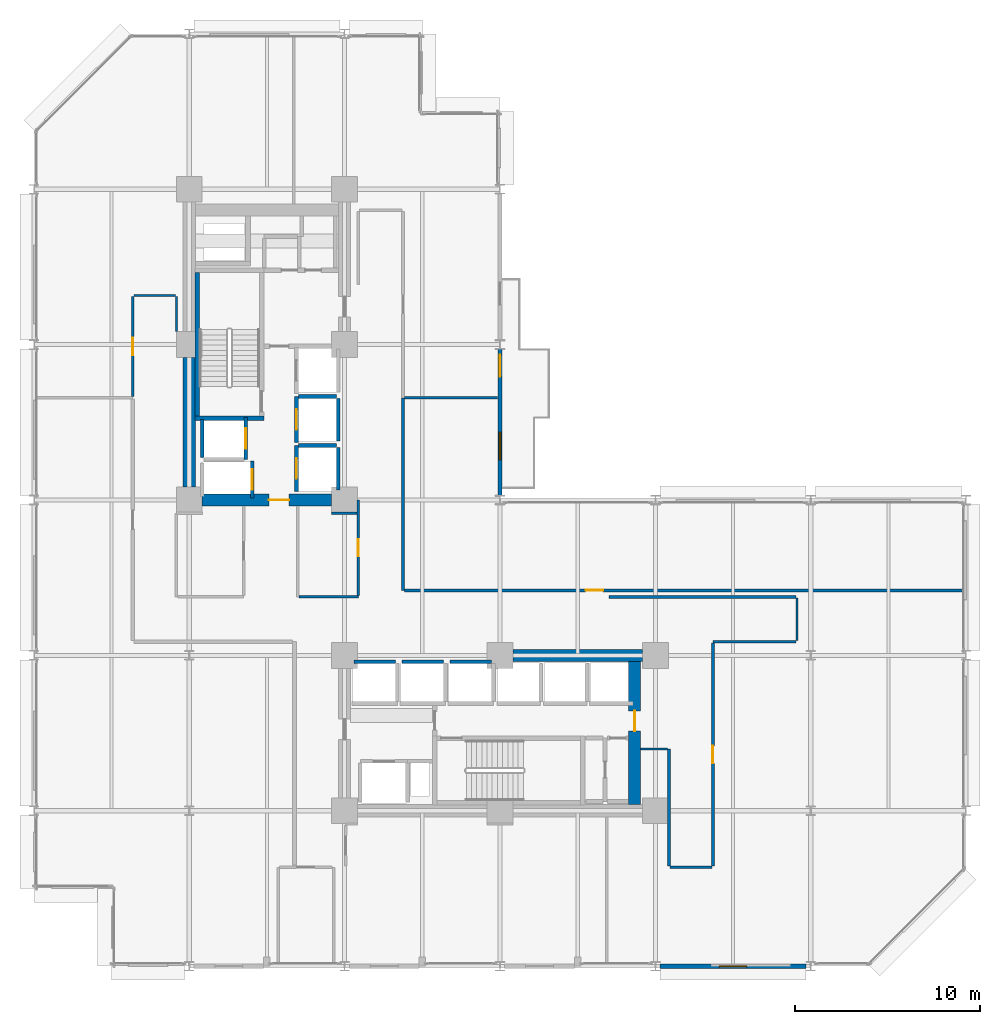
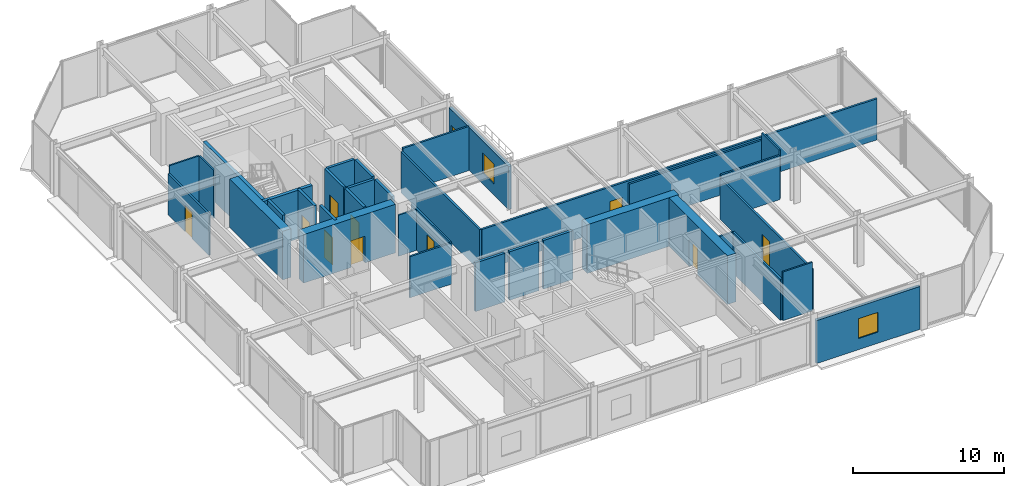
# One storey, part 21 of 25: 36 walls, 11 doors, 2 windows, 13 openings.
"""IFC4 building model written with IfcOpenShell, lengths in metres."""

from ifc_helpers import new_model, si_unit, direction, frame, frame_2d, origin, place, context, subcontext, project, spatial, rectangle, extrude, material, layer, layer_set, type_object, element, fill, save


model = new_model("IFC4")

# Units and contexts
model_context = context("Model", 3, precision=1e-05, world=origin(), true_north=direction((0.0, 1.0)))
body_context = subcontext(model_context, "Body", "Model", "MODEL_VIEW")
ifc_project = project(units=[si_unit("LENGTHUNIT", "METRE"), si_unit("AREAUNIT", "SQUARE_METRE"), si_unit("VOLUMEUNIT", "CUBIC_METRE"), si_unit("PLANEANGLEUNIT", "RADIAN"), si_unit("MASSUNIT", "GRAM", prefix="KILO")], contexts=[model_context])

# Site, building, storey
site_placement = place(None, origin())
site = spatial("IfcSite", under=ifc_project, at=site_placement, CompositionType="ELEMENT")
building_placement = place(site_placement, origin())
building = spatial("IfcBuilding", under=site, at=building_placement, Name="Nerrivon Quay Data Exchange", CompositionType="ELEMENT")
storey_placement = place(building_placement, frame((0.0, 0.0, 54.199951171875)))
storey = spatial("IfcBuildingStorey", under=building, at=storey_placement, Name="L12", CompositionType="ELEMENT", Elevation=54.199951171875)

# Wall, opening, window
ifc_material_1 = material(Name="Architectural terracotta precast concrete N50 (50 MPa)", Category="masonry")
ifc_layer_1 = layer(ifc_material_1, 0.239990234375)
ifc_layer_set_1 = layer_set([ifc_layer_1], Name="Architectural terracotta precast concrete N50 (50 MPa)")
wall_type_1 = type_object("IfcWallType", Name="EW-PREC-240", PredefinedType="STANDARD", material=ifc_layer_set_1)
wall_1_placement = place(storey_placement, frame((41.75, 0.0, 0.0), z_axis=(0.0, 0.0, 1.0), x_axis=(-1.0, 0.0, 0.0)))
wall_1 = element("IfcWall", 1, at=wall_1_placement, inside=storey, type_object=wall_type_1, Name="L12 Podium Precast Spandrel Wall 3", PredefinedType="STANDARD", context=body_context, shape_type="SweptSolid", body=[
    extrude(rectangle(XDim=7.89990234375, YDim=0.239990234375, at=frame_2d((3.949951171875, 0.0))), origin(), (0.0, 0.0, 1.0), 3.470947265625),
])
opening_1_placement = place(wall_1_placement, frame((3.199951171875, 0.0, 0.89990234375)))
opening_1 = element("IfcOpeningElement", 2, at=opening_1_placement, cuts=wall_1, Name="Opening WN4", PredefinedType="OPENING", context=body_context, shape_type="SweptSolid", body=[
    extrude(rectangle(XDim=1.5, YDim=1.60009765625, at=frame_2d((0.75, 0.800048828125))), frame((0.0, 0.1298828125, 0.0), z_axis=(0.0, -1.0, 0.0), x_axis=(1.0, 0.0, 0.0)), (0.0, 0.0, 1.0), 0.260009765625),
])
ifc_material_2 = material(Name="Double-glazed low-E solar control glass", Category="glass")
window_type = type_object("IfcWindowType", Name="WIN-W4-1500x1600", PartitioningType="SINGLE_PANEL", PredefinedType="WINDOW", material=ifc_material_2)
window_1_placement = place(opening_1_placement, origin())
window_1 = element("IfcWindow", 3, at=window_1_placement, inside=storey, type_object=window_type, Name="L12 Solar Facade Window 3", OverallHeight=1.60009765625, OverallWidth=1.5, PartitioningType="SINGLE_PANEL", PredefinedType="WINDOW", context=body_context, shape_type="SweptSolid", body=[
    extrude(rectangle(XDim=1.5, YDim=1.60009765625, at=frame_2d((0.75, 0.800048828125))), frame((0.0, 0.030029296875, 0.0), z_axis=(0.0, -1.0, 0.0), x_axis=(1.0, 0.0, 0.0)), (0.0, 0.0, 1.0), 0.06005859375),
])
fill(opening_1, window_1)

# Wall, openings, door, window
wall_2_placement = place(storey_placement, frame((25.199951171875, 33.35009765625, 0.0), z_axis=(0.0, 0.0, 1.0), x_axis=(0.0, -1.0, 0.0)))
wall_2 = element("IfcWall", 4, at=wall_2_placement, inside=storey, type_object=wall_type_1, Name="L12 Terrace Host Wall 27", PredefinedType="STANDARD", context=body_context, shape_type="SweptSolid", body=[
    extrude(rectangle(XDim=7.900146484375, YDim=0.239990234375, at=frame_2d((3.9501953125, 0.0))), origin(), (0.0, 0.0, 1.0), 3.470947265625),
])
opening_2_placement = place(wall_2_placement, frame((0.300048828125, 0.0, 0.0)))
opening_2 = element("IfcOpeningElement", 5, at=opening_2_placement, cuts=wall_2, Name="Opening TD1", PredefinedType="OPENING", context=body_context, shape_type="SweptSolid", body=[
    extrude(rectangle(XDim=1.199951171875, YDim=2.199951171875, at=frame_2d((0.60009765625, 1.10009765625))), frame((0.0, 0.1298828125, 0.0), z_axis=(0.0, -1.0, 0.0), x_axis=(1.0, 0.0, 0.0)), (0.0, 0.0, 1.0), 0.260009765625),
])
opening_3_placement = place(wall_2_placement, frame((4.47900390625, 0.0, 0.89990234375)))
opening_3 = element("IfcOpeningElement", 6, at=opening_3_placement, cuts=wall_2, Name="Opening WN4", PredefinedType="OPENING", context=body_context, shape_type="SweptSolid", body=[
    extrude(rectangle(XDim=1.5, YDim=1.60009765625, at=frame_2d((0.75, 0.800048828125))), frame((0.0, 0.1298828125, 0.0), z_axis=(0.0, -1.0, 0.0), x_axis=(1.0, 0.0, 0.0)), (0.0, 0.0, 1.0), 0.260009765625),
])
door_type_1 = type_object("IfcDoorType", Name="DR-TERR-1200x2200", OperationType="NOTDEFINED", PredefinedType="DOOR", material=ifc_material_2)
door_1_placement = place(opening_2_placement, origin())
door_1 = element("IfcDoor", 7, at=door_1_placement, inside=storey, type_object=door_type_1, Name="L12 Outdoor Terrace Access Door 27", OperationType="SINGLE_SWING_RIGHT", OverallHeight=2.199951171875, OverallWidth=1.199951171875, PredefinedType="DOOR", context=body_context, shape_type="SweptSolid", body=[
    extrude(rectangle(XDim=1.199951171875, YDim=2.199951171875, at=frame_2d((0.60009765625, 1.10009765625))), frame((0.0, 0.02490234375, 0.0), z_axis=(0.0, -1.0, 0.0), x_axis=(1.0, 0.0, 0.0)), (0.0, 0.0, 1.0), 0.050048828125),
])
fill(opening_2, door_1)
window_2_placement = place(opening_3_placement, origin())
window_2 = element("IfcWindow", 8, at=window_2_placement, inside=storey, type_object=window_type, Name="L12 Terrace Side Window 27", OverallHeight=1.60009765625, OverallWidth=1.5, PartitioningType="SINGLE_PANEL", PredefinedType="WINDOW", context=body_context, shape_type="SweptSolid", body=[
    extrude(rectangle(XDim=1.5, YDim=1.60009765625, at=frame_2d((0.75, 0.800048828125))), frame((0.0, 0.030029296875, 0.0), z_axis=(0.0, -1.0, 0.0), x_axis=(1.0, 0.0, 0.0)), (0.0, 0.0, 1.0), 0.06005859375),
])
fill(opening_3, window_2)

# Wall
ifc_material_3 = material(Name="Concrete N80 (80 MPa)", Category="concrete")
ifc_layer_2 = layer(ifc_material_3, 0.64990234375)
ifc_layer_set_2 = layer_set([ifc_layer_2], Name="Concrete N80 (80 MPa)")
wall_type_2 = type_object("IfcWallType", Name="WALL-CW-850", PredefinedType="SHEAR", material=ifc_layer_set_2)
wall_3_placement = place(storey_placement, frame((8.39990234375, 25.89990234375, 0.0), z_axis=(0.0, 0.0, 1.0), x_axis=(0.0, 1.0, 0.0)))
element("IfcWall", 9, at=wall_3_placement, inside=storey, type_object=wall_type_2, Name="L12 West Split-Core Shear Wall WCW-W1", PredefinedType="SHEAR", context=body_context, shape_type="SweptSolid", body=[
    extrude(rectangle(XDim=7.0, YDim=0.64990234375, at=frame_2d((3.5, 0.0))), origin(), (0.0, 0.0, 1.0), 3.925048828125),
])

# Wall, opening, door
wall_4_placement = place(storey_placement, frame((9.10009765625, 25.199951171875, 0.0), z_axis=(0.0, 0.0, 1.0), x_axis=(1.0, 0.0, 0.0)))
wall_4 = element("IfcWall", 10, at=wall_4_placement, inside=storey, type_object=wall_type_2, Name="L12 West Split-Core Shear Wall WCW-S1", PredefinedType="SHEAR", context=body_context, shape_type="SweptSolid", body=[
    extrude(rectangle(XDim=7.0, YDim=0.64990234375, at=frame_2d((3.5, 0.0))), origin(), (0.0, 0.0, 1.0), 3.925048828125),
])
opening_4_placement = place(wall_4_placement, frame((3.60009765625, 0.0, 0.0)))
opening_4 = element("IfcOpeningElement", 11, at=opening_4_placement, cuts=wall_4, Name="Opening FD-120", PredefinedType="OPENING", context=body_context, shape_type="SweptSolid", body=[
    extrude(rectangle(XDim=1.10009765625, YDim=2.14990234375, at=frame_2d((0.550048828125, 1.074951171875))), frame((0.0, 0.3349609375, 0.0), z_axis=(0.0, -1.0, 0.0), x_axis=(1.0, 0.0, 0.0)), (0.0, 0.0, 1.0), 0.669921875),
])
ifc_material_4 = material(Name="Powder-coated galvanized steel sheet", Category="steel")
door_type_2 = type_object("IfcDoorType", Name="DR-FD120-1100", OperationType="NOTDEFINED", PredefinedType="DOOR", material=ifc_material_4)
door_2_placement = place(opening_4_placement, origin())
door_2 = element("IfcDoor", 12, at=door_2_placement, inside=storey, type_object=door_type_2, Name="L12 West Core Lobby Fire Door", OperationType="SINGLE_SWING_LEFT", OverallHeight=2.14990234375, OverallWidth=1.10009765625, PredefinedType="DOOR", context=body_context, shape_type="SweptSolid", body=[
    extrude(rectangle(XDim=1.10009765625, YDim=2.14990234375, at=frame_2d((0.550048828125, 1.074951171875))), frame((0.0, 0.02490234375, 0.0), z_axis=(0.0, -1.0, 0.0), x_axis=(1.0, 0.0, 0.0)), (0.0, 0.0, 1.0), 0.050048828125),
])
fill(opening_4, door_2)

wall_5_placement = place(storey_placement, frame((32.47509765625, 8.72509765625, 0.0), z_axis=(0.0, 0.0, 1.0), x_axis=(0.0, 1.0, 0.0)))
wall_5 = element("IfcWall", 13, at=wall_5_placement, inside=storey, type_object=wall_type_2, Name="L12 East Split-Core Shear Wall ECW-E1", PredefinedType="SHEAR", context=body_context, shape_type="SweptSolid", body=[
    extrude(rectangle(XDim=7.75, YDim=0.64990234375, at=frame_2d((3.875, 0.0))), origin(), (0.0, 0.0, 1.0), 3.925048828125),
])
opening_5_placement = place(wall_5_placement, frame((3.97509765625, 0.0, 0.0)))
opening_5 = element("IfcOpeningElement", 14, at=opening_5_placement, cuts=wall_5, Name="Opening FD-120", PredefinedType="OPENING", context=body_context, shape_type="SweptSolid", body=[
    extrude(rectangle(XDim=1.10009765625, YDim=2.14990234375, at=frame_2d((0.550048828125, 1.074951171875))), frame((0.0, 0.3349609375, 0.0), z_axis=(0.0, -1.0, 0.0), x_axis=(1.0, 0.0, 0.0)), (0.0, 0.0, 1.0), 0.669921875),
])
door_3_placement = place(opening_5_placement, origin())
door_3 = element("IfcDoor", 15, at=door_3_placement, inside=storey, type_object=door_type_2, Name="L12 East Core Lobby Fire Door", OperationType="SINGLE_SWING_RIGHT", OverallHeight=2.14990234375, OverallWidth=1.10009765625, PredefinedType="DOOR", context=body_context, shape_type="SweptSolid", body=[
    extrude(rectangle(XDim=1.10009765625, YDim=2.14990234375, at=frame_2d((0.550048828125, 1.074951171875))), frame((0.0, 0.02490234375, 0.0), z_axis=(0.0, -1.0, 0.0), x_axis=(1.0, 0.0, 0.0)), (0.0, 0.0, 1.0), 0.050048828125),
])
fill(opening_5, door_3)

# Wall
wall_6_placement = place(storey_placement, frame((25.89990234375, 16.800048828125, 0.0), z_axis=(0.0, 0.0, 1.0), x_axis=(1.0, 0.0, 0.0)))
element("IfcWall", 16, at=wall_6_placement, inside=storey, type_object=wall_type_2, Name="L12 East Split-Core Shear Wall ECW-N1", PredefinedType="SHEAR", context=body_context, shape_type="SweptSolid", body=[
    extrude(rectangle(XDim=7.0, YDim=0.64990234375, at=frame_2d((3.5, 0.0))), origin(), (0.0, 0.0, 1.0), 3.925048828125),
])

# Wall, opening, door
ifc_material_5 = material(Name="Gypsum plasterboard on cold-formed framing", Category="gypsum")
ifc_layer_3 = layer(ifc_material_5, 0.199951171875)
ifc_layer_set_3 = layer_set([ifc_layer_3], Name="Gypsum plasterboard on cold-formed framing")
wall_type_3 = type_object("IfcWallType", Name="WALL-FW-200", PredefinedType="PARTITIONING", material=ifc_layer_set_3)
wall_7_placement = place(storey_placement, frame((11.449951171875, 27.39990234375, 0.0), z_axis=(0.0, 0.0, 1.0), x_axis=(0.0, 1.0, 0.0)))
wall_7 = element("IfcWall", 17, at=wall_7_placement, inside=storey, type_object=wall_type_3, Name="L12 Lift Front Wall FFL-1", PredefinedType="PARTITIONING", context=body_context, shape_type="SweptSolid", body=[
    extrude(rectangle(XDim=2.25, YDim=0.199951171875, at=frame_2d((1.125, 0.0))), origin(), (0.0, 0.0, 1.0), 3.925048828125),
])
opening_6_placement = place(wall_7_placement, frame((0.574951171875, 0.0, 0.0)))
opening_6 = element("IfcOpeningElement", 18, at=opening_6_placement, cuts=wall_7, Name="Opening LD-120", PredefinedType="OPENING", context=body_context, shape_type="SweptSolid", body=[
    extrude(rectangle(XDim=1.10009765625, YDim=2.199951171875, at=frame_2d((0.550048828125, 1.10009765625))), frame((0.0, 0.10986328125, 0.0), z_axis=(0.0, -1.0, 0.0), x_axis=(1.0, 0.0, 0.0)), (0.0, 0.0, 1.0), 0.219970703125),
])
door_type_3 = type_object("IfcDoorType", Name="DR-LIFT-LD120", OperationType="DOUBLE_DOOR_SLIDING", PredefinedType="DOOR", material=ifc_material_4)
door_4_placement = place(opening_6_placement, origin())
door_4 = element("IfcDoor", 19, at=door_4_placement, inside=storey, type_object=door_type_3, Name="L12 Lift Landing Sliding Door FFL-1", OperationType="DOUBLE_DOOR_SLIDING", OverallHeight=2.199951171875, OverallWidth=1.10009765625, PredefinedType="DOOR", context=body_context, shape_type="SweptSolid", body=[
    extrude(rectangle(XDim=1.10009765625, YDim=2.199951171875, at=frame_2d((0.550048828125, 1.10009765625))), frame((0.0, 0.02490234375, 0.0), z_axis=(0.0, -1.0, 0.0), x_axis=(1.0, 0.0, 0.0)), (0.0, 0.0, 1.0), 0.050048828125),
])
fill(opening_6, door_4)

# Wall
wall_8_placement = place(storey_placement, frame((9.10009765625, 27.5, 0.0), z_axis=(0.0, 0.0, 1.0), x_axis=(0.0, 1.0, 0.0)))
element("IfcWall", 20, at=wall_8_placement, inside=storey, type_object=wall_type_3, Name="L12 Lift Shaft Wall FFL-1 WEST", PredefinedType="PARTITIONING", context=body_context, shape_type="SweptSolid", body=[
    extrude(rectangle(XDim=2.050048828125, YDim=0.199951171875, at=frame_2d((1.02490234375, 0.0))), origin(), (0.0, 0.0, 1.0), 3.925048828125),
])

# Wall, opening, door
wall_9_placement = place(storey_placement, frame((11.800048828125, 25.300048828125, 0.0), z_axis=(0.0, 0.0, 1.0), x_axis=(0.0, 1.0, 0.0)))
wall_9 = element("IfcWall", 21, at=wall_9_placement, inside=storey, type_object=wall_type_3, Name="L12 Lift Front Wall SVL-1", PredefinedType="PARTITIONING", context=body_context, shape_type="SweptSolid", body=[
    extrude(rectangle(XDim=2.0, YDim=0.199951171875, at=frame_2d((1.0, 0.0))), origin(), (0.0, 0.0, 1.0), 3.925048828125),
])
opening_7_placement = place(wall_9_placement, frame((0.449951171875, 0.0, 0.0)))
opening_7 = element("IfcOpeningElement", 22, at=opening_7_placement, cuts=wall_9, Name="Opening LD-120", PredefinedType="OPENING", context=body_context, shape_type="SweptSolid", body=[
    extrude(rectangle(XDim=1.10009765625, YDim=2.199951171875, at=frame_2d((0.550048828125, 1.10009765625))), frame((0.0, 0.10986328125, 0.0), z_axis=(0.0, -1.0, 0.0), x_axis=(1.0, 0.0, 0.0)), (0.0, 0.0, 1.0), 0.219970703125),
])
door_5_placement = place(opening_7_placement, origin())
door_5 = element("IfcDoor", 23, at=door_5_placement, inside=storey, type_object=door_type_3, Name="L12 Lift Landing Sliding Door SVL-1", OperationType="DOUBLE_DOOR_SLIDING", OverallHeight=2.199951171875, OverallWidth=1.10009765625, PredefinedType="DOOR", context=body_context, shape_type="SweptSolid", body=[
    extrude(rectangle(XDim=1.10009765625, YDim=2.199951171875, at=frame_2d((0.550048828125, 1.10009765625))), frame((0.0, 0.02490234375, 0.0), z_axis=(0.0, -1.0, 0.0), x_axis=(1.0, 0.0, 0.0)), (0.0, 0.0, 1.0), 0.050048828125),
])
fill(opening_7, door_5)

wall_10_placement = place(storey_placement, frame((14.199951171875, 25.64990234375, 0.0), z_axis=(0.0, 0.0, 1.0), x_axis=(0.0, 1.0, 0.0)))
wall_10 = element("IfcWall", 24, at=wall_10_placement, inside=storey, type_object=wall_type_3, Name="L12 Lift Front Wall PL1", PredefinedType="PARTITIONING", context=body_context, shape_type="SweptSolid", body=[
    extrude(rectangle(XDim=2.5, YDim=0.199951171875, at=frame_2d((1.25, 0.0))), origin(), (0.0, 0.0, 1.0), 3.925048828125),
])
opening_8_placement = place(wall_10_placement, frame((0.699951171875, 0.0, 0.0)))
opening_8 = element("IfcOpeningElement", 25, at=opening_8_placement, cuts=wall_10, Name="Opening LD-120", PredefinedType="OPENING", context=body_context, shape_type="SweptSolid", body=[
    extrude(rectangle(XDim=1.10009765625, YDim=2.199951171875, at=frame_2d((0.550048828125, 1.10009765625))), frame((0.0, 0.10986328125, 0.0), z_axis=(0.0, -1.0, 0.0), x_axis=(1.0, 0.0, 0.0)), (0.0, 0.0, 1.0), 0.219970703125),
])
door_6_placement = place(opening_8_placement, origin())
door_6 = element("IfcDoor", 26, at=door_6_placement, inside=storey, type_object=door_type_3, Name="L12 Lift Landing Sliding Door PL1", OperationType="DOUBLE_DOOR_SLIDING", OverallHeight=2.199951171875, OverallWidth=1.10009765625, PredefinedType="DOOR", context=body_context, shape_type="SweptSolid", body=[
    extrude(rectangle(XDim=1.10009765625, YDim=2.199951171875, at=frame_2d((0.550048828125, 1.10009765625))), frame((0.0, 0.02490234375, 0.0), z_axis=(0.0, -1.0, 0.0), x_axis=(1.0, 0.0, 0.0)), (0.0, 0.0, 1.0), 0.050048828125),
])
fill(opening_8, door_6)

# Walls
wall_11_placement = place(storey_placement, frame((16.449951171875, 25.75, 0.0), z_axis=(0.0, 0.0, 1.0), x_axis=(0.0, 1.0, 0.0)))
element("IfcWall", 27, at=wall_11_placement, inside=storey, type_object=wall_type_3, Name="L12 Lift Shaft Wall PL1 EAST", PredefinedType="PARTITIONING", context=body_context, shape_type="SweptSolid", body=[
    extrude(rectangle(XDim=2.300048828125, YDim=0.199951171875, at=frame_2d((1.14990234375, 0.0))), origin(), (0.0, 0.0, 1.0), 3.925048828125),
])
wall_12_placement = place(storey_placement, frame((14.300048828125, 28.14990234375, 0.0), z_axis=(0.0, 0.0, 1.0), x_axis=(1.0, 0.0, 0.0)))
element("IfcWall", 28, at=wall_12_placement, inside=storey, type_object=wall_type_3, Name="L12 Lift Shaft Wall PL1 NORTH", PredefinedType="PARTITIONING", context=body_context, shape_type="SweptSolid", body=[
    extrude(rectangle(XDim=2.050048828125, YDim=0.199951171875, at=frame_2d((1.02490234375, 0.0))), origin(), (0.0, 0.0, 1.0), 3.925048828125),
])

# Wall, opening, door
wall_13_placement = place(storey_placement, frame((14.199951171875, 28.300048828125, 0.0), z_axis=(0.0, 0.0, 1.0), x_axis=(0.0, 1.0, 0.0)))
wall_13 = element("IfcWall", 29, at=wall_13_placement, inside=storey, type_object=wall_type_3, Name="L12 Lift Front Wall PL2", PredefinedType="PARTITIONING", context=body_context, shape_type="SweptSolid", body=[
    extrude(rectangle(XDim=2.5, YDim=0.199951171875, at=frame_2d((1.25, 0.0))), origin(), (0.0, 0.0, 1.0), 3.925048828125),
])
opening_9_placement = place(wall_13_placement, frame((0.699951171875, 0.0, 0.0)))
opening_9 = element("IfcOpeningElement", 30, at=opening_9_placement, cuts=wall_13, Name="Opening LD-120", PredefinedType="OPENING", context=body_context, shape_type="SweptSolid", body=[
    extrude(rectangle(XDim=1.10009765625, YDim=2.199951171875, at=frame_2d((0.550048828125, 1.10009765625))), frame((0.0, 0.10986328125, 0.0), z_axis=(0.0, -1.0, 0.0), x_axis=(1.0, 0.0, 0.0)), (0.0, 0.0, 1.0), 0.219970703125),
])
door_7_placement = place(opening_9_placement, origin())
door_7 = element("IfcDoor", 31, at=door_7_placement, inside=storey, type_object=door_type_3, Name="L12 Lift Landing Sliding Door PL2", OperationType="DOUBLE_DOOR_SLIDING", OverallHeight=2.199951171875, OverallWidth=1.10009765625, PredefinedType="DOOR", context=body_context, shape_type="SweptSolid", body=[
    extrude(rectangle(XDim=1.10009765625, YDim=2.199951171875, at=frame_2d((0.550048828125, 1.10009765625))), frame((0.0, 0.02490234375, 0.0), z_axis=(0.0, -1.0, 0.0), x_axis=(1.0, 0.0, 0.0)), (0.0, 0.0, 1.0), 0.050048828125),
])
fill(opening_9, door_7)

# Walls
wall_14_placement = place(storey_placement, frame((16.449951171875, 28.39990234375, 0.0), z_axis=(0.0, 0.0, 1.0), x_axis=(0.0, 1.0, 0.0)))
element("IfcWall", 32, at=wall_14_placement, inside=storey, type_object=wall_type_3, Name="L12 Lift Shaft Wall PL2 EAST", PredefinedType="PARTITIONING", context=body_context, shape_type="SweptSolid", body=[
    extrude(rectangle(XDim=2.300048828125, YDim=0.199951171875, at=frame_2d((1.14990234375, 0.0))), origin(), (0.0, 0.0, 1.0), 3.925048828125),
])
wall_15_placement = place(storey_placement, frame((14.300048828125, 30.800048828125, 0.0), z_axis=(0.0, 0.0, 1.0), x_axis=(1.0, 0.0, 0.0)))
element("IfcWall", 33, at=wall_15_placement, inside=storey, type_object=wall_type_3, Name="L12 Lift Shaft Wall PL2 NORTH", PredefinedType="PARTITIONING", context=body_context, shape_type="SweptSolid", body=[
    extrude(rectangle(XDim=2.050048828125, YDim=0.199951171875, at=frame_2d((1.02490234375, 0.0))), origin(), (0.0, 0.0, 1.0), 3.925048828125),
])
for number, where, z_axis, x_axis, name in (
    (34, (17.300048828125, 16.449951171875, 0.0), (0.0, 0.0, 1.0), (1.0, 0.0, 0.0), "L12 Lift Shaft Wall PL4 NORTH"),
    (35, (19.89990234375, 16.449951171875, 0.0), (0.0, 0.0, 1.0), (1.0, 0.0, 0.0), "L12 Lift Shaft Wall PL5 NORTH"),
    (36, (22.5, 16.449951171875, 0.0), (0.0, 0.0, 1.0), (1.0, 0.0, 0.0), "L12 Lift Shaft Wall PL6 NORTH"),
):
    element("IfcWall", number, at=place(storey_placement, frame(where, z_axis=z_axis, x_axis=x_axis)), inside=storey, type_object=wall_type_3, Name=name, PredefinedType="PARTITIONING", context=body_context, shape_type="SweptSolid", body=[
        extrude(rectangle(XDim=2.25, YDim=0.199951171875, at=frame_2d((1.125, 0.0))), origin(), (0.0, 0.0, 1.0), 3.925048828125),
    ])
ifc_layer_4 = layer(ifc_material_5, 0.1201171875)
ifc_layer_set_4 = layer_set([ifc_layer_4], Name="Gypsum plasterboard on cold-formed framing")
wall_type_4 = type_object("IfcWallType", Name="WALL-PT-120", PredefinedType="PARTITIONING", material=ifc_layer_set_4)
wall_16_placement = place(storey_placement, frame((17.468505859375, 24.48046875, 0.0), z_axis=(0.0, 0.0, 1.0), x_axis=(-0.99999993688, 0.000355302873, 0.0)))
element("IfcWall", 37, at=wall_16_placement, inside=storey, type_object=wall_type_4, Name="L12 Partition Public Washrooms", PredefinedType="PARTITIONING", context=body_context, shape_type="SweptSolid", body=[
    extrude(rectangle(XDim=1.374267578125, YDim=0.1201171875, at=frame_2d((0.68701171875, 0.0))), origin(), (0.0, 0.0, 1.0), 3.322998046875),
])
wall_17_placement = place(storey_placement, frame((5.39990234375, 36.260009765625, 0.0), z_axis=(0.0, 0.0, 1.0), x_axis=(1.0, 0.0, 0.0)))
element("IfcWall", 38, at=wall_17_placement, inside=storey, type_object=wall_type_4, Name="L12 Partition Cloud Compute Workspace 1", PredefinedType="PARTITIONING", context=body_context, shape_type="SweptSolid", body=[
    extrude(rectangle(XDim=2.25, YDim=0.1201171875, at=frame_2d((1.125, 0.0))), origin(), (0.0, 0.0, 1.0), 3.925048828125),
])
wall_18_placement = place(storey_placement, frame((7.7099609375, 36.199951171875, 0.0), z_axis=(0.0, 0.0, 1.0), x_axis=(0.0, -1.0, 0.0)))
element("IfcWall", 39, at=wall_18_placement, inside=storey, type_object=wall_type_4, Name="L12 Partition Cloud Compute Workspace 1", PredefinedType="PARTITIONING", context=body_context, shape_type="SweptSolid", body=[
    extrude(rectangle(XDim=1.8798828125, YDim=0.1201171875, at=frame_2d((0.93994140625, 0.0))), origin(), (0.0, 0.0, 1.0), 3.925048828125),
])
wall_19_placement = place(storey_placement, frame((41.260009765625, 19.89990234375, 0.0), z_axis=(0.0, 0.0, 1.0), x_axis=(-0.000105876124, -0.999999994395, 0.0)))
element("IfcWall", 40, at=wall_19_placement, inside=storey, type_object=wall_type_4, Name="L12 Partition Optical Engineering Studios Workspace", PredefinedType="PARTITIONING", context=body_context, shape_type="SweptSolid", body=[
    extrude(rectangle(XDim=2.305908203125, YDim=0.1201171875, at=frame_2d((1.15283203125, 0.0))), origin(), (0.0, 0.0, 1.0), 3.925048828125),
])
wall_20_placement = place(storey_placement, frame((36.64990234375, 5.340087890625, 0.0), z_axis=(0.0, 0.0, 1.0), x_axis=(-1.0, 0.0, 0.0)))
element("IfcWall", 41, at=wall_20_placement, inside=storey, type_object=wall_type_4, Name="L12 Partition Optical Engineering Studios Workspace", PredefinedType="PARTITIONING", context=body_context, shape_type="SweptSolid", body=[
    extrude(rectangle(XDim=2.25, YDim=0.1201171875, at=frame_2d((1.125, 0.0))), origin(), (0.0, 0.0, 1.0), 3.925048828125),
])
wall_21_placement = place(storey_placement, frame((34.260986328125, 11.739990234375, 0.0), z_axis=(0.0, 0.0, 1.0), x_axis=(-1.0, 0.0, 0.0)))
element("IfcWall", 42, at=wall_21_placement, inside=storey, type_object=wall_type_4, Name="L12 Partition Optical Engineering Studios Workspace", PredefinedType="PARTITIONING", context=body_context, shape_type="SweptSolid", body=[
    extrude(rectangle(XDim=1.45703125, YDim=0.1201171875, at=frame_2d((0.728515625, 0.0))), origin(), (0.0, 0.0, 1.0), 3.322998046875),
])
ifc_layer_5 = layer(ifc_material_5, 0.135009765625)
ifc_layer_set_5 = layer_set([ifc_layer_5], Name="Gypsum plasterboard on cold-formed framing")
wall_type_5 = type_object("IfcWallType", Name="WALL-PT-135", PredefinedType="PARTITIONING", material=ifc_layer_set_5)
wall_22_placement = place(storey_placement, frame((14.33154296875, 19.9599609375, 0.0), z_axis=(0.0, 0.0, 1.0), x_axis=(1.0, 0.0, 0.0)))
element("IfcWall", 43, at=wall_22_placement, inside=storey, type_object=wall_type_5, Name="L12 Partition Public Washrooms", PredefinedType="PARTITIONING", context=body_context, shape_type="SweptSolid", body=[
    extrude(rectangle(XDim=3.20849609375, YDim=0.135009765625, at=frame_2d((1.604248046875, 0.0))), origin(), (0.0, 0.0, 1.0), 3.322998046875),
])

# Wall, opening, door
wall_23_placement = place(storey_placement, frame((17.5400390625, 20.031494140625, 0.0), z_axis=(0.0, 0.0, 1.0), x_axis=(0.0, 1.0, 0.0)))
wall_23 = element("IfcWall", 44, at=wall_23_placement, inside=storey, type_object=wall_type_5, Name="L12 Partition Public Washrooms", PredefinedType="PARTITIONING", context=body_context, shape_type="SweptSolid", body=[
    extrude(rectangle(XDim=5.16845703125, YDim=0.135009765625, at=frame_2d((2.584228515625, 0.0))), origin(), (0.0, 0.0, 1.0), 3.31298828125),
])
opening_10_placement = place(wall_23_placement, frame((2.124267578125, 0.0, 0.0)))
opening_10 = element("IfcOpeningElement", 45, at=opening_10_placement, cuts=wall_23, Name="Opening D-WC", PredefinedType="OPENING", context=body_context, shape_type="SweptSolid", body=[
    extrude(rectangle(XDim=0.919921875, YDim=2.10009765625, at=frame_2d((0.4599609375, 1.050048828125))), frame((0.0, 0.077392578125, 0.0), z_axis=(0.0, -1.0, 0.0), x_axis=(1.0, 0.0, 0.0)), (0.0, 0.0, 1.0), 0.155029296875),
])
ifc_material_6 = material(Name="Engineered hardwood timber", Category="wood")
door_type_4 = type_object("IfcDoorType", Name="DR-WC-920", OperationType="NOTDEFINED", PredefinedType="DOOR", material=ifc_material_6)
door_8_placement = place(opening_10_placement, origin())
door_8 = element("IfcDoor", 46, at=door_8_placement, inside=storey, type_object=door_type_4, Name="L12 Door Public Washrooms", OperationType="SINGLE_SWING_LEFT", OverallHeight=2.10009765625, OverallWidth=0.919921875, PredefinedType="DOOR", context=body_context, shape_type="SweptSolid", body=[
    extrude(rectangle(XDim=0.919921875, YDim=2.10009765625, at=frame_2d((0.4599609375, 1.050048828125))), frame((0.0, 0.02490234375, 0.0), z_axis=(0.0, -1.0, 0.0), x_axis=(1.0, 0.0, 0.0)), (0.0, 0.0, 1.0), 0.050048828125),
])
fill(opening_10, door_8)

# Wall
wall_24_placement = place(storey_placement, frame((20.0390625, 30.721923828125, 0.0), z_axis=(0.0, 0.0, 1.0), x_axis=(1.0, 0.0, 0.0)))
element("IfcWall", 47, at=wall_24_placement, inside=storey, type_object=wall_type_5, Name="L12 Partition Staff Bistro", PredefinedType="PARTITIONING", context=body_context, shape_type="SweptSolid", body=[
    extrude(rectangle(XDim=5.036865234375, YDim=0.135009765625, at=frame_2d((2.5185546875, 0.0))), origin(), (0.0, 0.0, 1.0), 3.566162109375),
])

# Wall, opening, door
wall_25_placement = place(storey_placement, frame((5.340087890625, 30.79345703125, 0.0), z_axis=(0.0, 0.0, 1.0), x_axis=(0.0, 1.0, 0.0)))
wall_25 = element("IfcWall", 48, at=wall_25_placement, inside=storey, type_object=wall_type_5, Name="L12 Partition Cloud Compute Workspace 1", PredefinedType="PARTITIONING", context=body_context, shape_type="SweptSolid", body=[
    extrude(rectangle(XDim=5.406494140625, YDim=0.135009765625, at=frame_2d((2.703125, 0.0))), origin(), (0.0, 0.0, 1.0), 3.31298828125),
])
opening_11_placement = place(wall_25_placement, frame((2.228271484375, 0.0, 0.0)))
opening_11 = element("IfcOpeningElement", 49, at=opening_11_placement, cuts=wall_25, Name="Opening D-01", PredefinedType="OPENING", context=body_context, shape_type="SweptSolid", body=[
    extrude(rectangle(XDim=0.949951171875, YDim=2.14990234375, at=frame_2d((0.47509765625, 1.074951171875))), frame((0.0, 0.077392578125, 0.0), z_axis=(0.0, -1.0, 0.0), x_axis=(1.0, 0.0, 0.0)), (0.0, 0.0, 1.0), 0.155029296875),
])
door_type_5 = type_object("IfcDoorType", Name="DR-INT-950", OperationType="NOTDEFINED", PredefinedType="DOOR", material=ifc_material_6)
door_9_placement = place(opening_11_placement, origin())
door_9 = element("IfcDoor", 50, at=door_9_placement, inside=storey, type_object=door_type_5, Name="L12 Door Cloud Compute Workspace 1", OperationType="SINGLE_SWING_RIGHT", OverallHeight=2.14990234375, OverallWidth=0.949951171875, PredefinedType="DOOR", context=body_context, shape_type="SweptSolid", body=[
    extrude(rectangle(XDim=0.949951171875, YDim=2.14990234375, at=frame_2d((0.47509765625, 1.074951171875))), frame((0.0, 0.02490234375, 0.0), z_axis=(0.0, -1.0, 0.0), x_axis=(1.0, 0.0, 0.0)), (0.0, 0.0, 1.0), 0.050048828125),
])
fill(opening_11, door_9)

# Walls
wall_26_placement = place(storey_placement, frame((41.199951171875, 17.5400390625, 0.0), z_axis=(0.0, 0.0, 1.0), x_axis=(-1.0, 0.0, 0.0)))
element("IfcWall", 51, at=wall_26_placement, inside=storey, type_object=wall_type_5, Name="L12 Partition Optical Engineering Studios Workspace", PredefinedType="PARTITIONING", context=body_context, shape_type="SweptSolid", body=[
    extrude(rectangle(XDim=4.489990234375, YDim=0.135009765625, at=frame_2d((2.2451171875, 0.0))), origin(), (0.0, 0.0, 1.0), 3.566162109375),
])
ifc_layer_6 = layer(ifc_material_5, 0.14990234375)
ifc_layer_set_6 = layer_set([ifc_layer_6], Name="Gypsum plasterboard on cold-formed framing")
wall_type_6 = type_object("IfcWallType", Name="WALL-PT-150", PredefinedType="PARTITIONING", material=ifc_layer_set_6)
wall_27_placement = place(storey_placement, frame((19.9599609375, 30.701904296875, 0.0), z_axis=(0.0, 0.0, 1.0), x_axis=(0.0, -1.0, 0.0)))
element("IfcWall", 52, at=wall_27_placement, inside=storey, type_object=wall_type_6, Name="L12 Partition Technical Library", PredefinedType="PARTITIONING", context=body_context, shape_type="SweptSolid", body=[
    extrude(rectangle(XDim=10.39208984375, YDim=0.14990234375, at=frame_2d((5.196044921875, 0.0))), origin(), (0.0, 0.0, 1.0), 3.31298828125),
])

# Wall, opening, door
wall_28_placement = place(storey_placement, frame((20.0390625, 20.309814453125, 0.0), z_axis=(0.0, 0.0, 1.0), x_axis=(1.0, 0.0, 0.0)))
wall_28 = element("IfcWall", 53, at=wall_28_placement, inside=storey, type_object=wall_type_6, Name="L12 Partition Technical Library", PredefinedType="PARTITIONING", context=body_context, shape_type="SweptSolid", body=[
    extrude(rectangle(XDim=30.19189453125, YDim=0.14990234375, at=frame_2d((15.095947265625, 0.0))), origin(), (0.0, 0.0, 1.0), 3.322998046875),
])
opening_12_placement = place(wall_28_placement, frame((9.790283203125, 0.0, 0.0)))
opening_12 = element("IfcOpeningElement", 54, at=opening_12_placement, cuts=wall_28, Name="Opening D-01", PredefinedType="OPENING", context=body_context, shape_type="SweptSolid", body=[
    extrude(rectangle(XDim=0.949951171875, YDim=2.14990234375, at=frame_2d((0.47509765625, 1.074951171875))), frame((0.0, 0.0849609375, 0.0), z_axis=(0.0, -1.0, 0.0), x_axis=(1.0, 0.0, 0.0)), (0.0, 0.0, 1.0), 0.169921875),
])
door_10_placement = place(opening_12_placement, origin())
door_10 = element("IfcDoor", 55, at=door_10_placement, inside=storey, type_object=door_type_5, Name="L12 Door Technical Library", OperationType="SINGLE_SWING_LEFT", OverallHeight=2.14990234375, OverallWidth=0.949951171875, PredefinedType="DOOR", context=body_context, shape_type="SweptSolid", body=[
    extrude(rectangle(XDim=0.949951171875, YDim=2.14990234375, at=frame_2d((0.47509765625, 1.074951171875))), frame((0.0, 0.02490234375, 0.0), z_axis=(0.0, -1.0, 0.0), x_axis=(1.0, 0.0, 0.0)), (0.0, 0.0, 1.0), 0.050048828125),
])
fill(opening_12, door_10)

# Wall
wall_29_placement = place(storey_placement, frame((31.094482421875, 19.959716796875, 0.0), z_axis=(0.0, 0.0, 1.0), x_axis=(1.0, 0.0, 0.0)))
element("IfcWall", 56, at=wall_29_placement, inside=storey, type_object=wall_type_6, Name="L12 Partition Optical Engineering Studios Workspace", PredefinedType="PARTITIONING", context=body_context, shape_type="SweptSolid", body=[
    extrude(rectangle(XDim=10.111328125, YDim=0.14990234375, at=frame_2d((5.0556640625, 0.0))), origin(), (0.0, 0.0, 1.0), 3.322998046875),
])

# Wall, opening, door
wall_30_placement = place(storey_placement, frame((36.7099609375, 17.468505859375, 0.0), z_axis=(0.0, 0.0, 1.0), x_axis=(0.0, -1.0, 0.0)))
wall_30 = element("IfcWall", 57, at=wall_30_placement, inside=storey, type_object=wall_type_6, Name="L12 Partition Optical Engineering Studios Workspace", PredefinedType="PARTITIONING", context=body_context, shape_type="SweptSolid", body=[
    extrude(rectangle(XDim=12.068603515625, YDim=0.14990234375, at=frame_2d((6.0341796875, 0.0))), origin(), (0.0, 0.0, 1.0), 3.31298828125),
])
opening_13_placement = place(wall_30_placement, frame((5.55908203125, 0.0, 0.0)))
opening_13 = element("IfcOpeningElement", 58, at=opening_13_placement, cuts=wall_30, Name="Opening D-01", PredefinedType="OPENING", context=body_context, shape_type="SweptSolid", body=[
    extrude(rectangle(XDim=0.949951171875, YDim=2.14990234375, at=frame_2d((0.47509765625, 1.074951171875))), frame((0.0, 0.0849609375, 0.0), z_axis=(0.0, -1.0, 0.0), x_axis=(1.0, 0.0, 0.0)), (0.0, 0.0, 1.0), 0.169921875),
])
door_11_placement = place(opening_13_placement, origin())
door_11 = element("IfcDoor", 59, at=door_11_placement, inside=storey, type_object=door_type_5, Name="L12 Door Optical Engineering Studios Workspace", OperationType="SINGLE_SWING_RIGHT", OverallHeight=2.14990234375, OverallWidth=0.949951171875, PredefinedType="DOOR", context=body_context, shape_type="SweptSolid", body=[
    extrude(rectangle(XDim=0.949951171875, YDim=2.14990234375, at=frame_2d((0.47509765625, 1.074951171875))), frame((0.0, 0.02490234375, 0.0), z_axis=(0.0, -1.0, 0.0), x_axis=(1.0, 0.0, 0.0)), (0.0, 0.0, 1.0), 0.050048828125),
])
fill(opening_13, door_11)

# Walls
wall_31_placement = place(storey_placement, frame((34.340087890625, 5.39990234375, 0.0), z_axis=(0.0, 0.0, 1.0), x_axis=(0.0, 1.0, 0.0)))
element("IfcWall", 60, at=wall_31_placement, inside=storey, type_object=wall_type_6, Name="L12 Partition Optical Engineering Studios Workspace", PredefinedType="PARTITIONING", context=body_context, shape_type="SweptSolid", body=[
    extrude(rectangle(XDim=6.340087890625, YDim=0.14990234375, at=frame_2d((3.169921875, 0.0))), origin(), (0.0, 0.0, 1.0), 3.31298828125),
])
ifc_material_7 = material(Name="Concrete N50 (50 MPa)", Category="concrete")
ifc_layer_7 = layer(ifc_material_7, 0.25)
ifc_layer_set_7 = layer_set([ifc_layer_7], Name="Concrete N50 (50 MPa)")
wall_type_7 = type_object("IfcWallType", Name="WALL-SW-250", PredefinedType="SHEAR", material=ifc_layer_set_7)
wall_32_placement = place(storey_placement, frame((12.449951171875, 29.625, 0.0), z_axis=(0.0, 0.0, 1.0), x_axis=(-1.0, 0.0, 0.0)))
element("IfcWall", 61, at=wall_32_placement, inside=storey, type_object=wall_type_7, Name="L12 ST01 Structural Stair Core Wall NEAR", PredefinedType="SHEAR", context=body_context, shape_type="SweptSolid", body=[
    extrude(rectangle(XDim=3.75, YDim=0.25, at=frame_2d((1.875, 0.0))), origin(), (0.0, 0.0, 1.0), 3.925048828125),
])
wall_33_placement = place(storey_placement, frame((8.824951171875, 29.75, 0.0), z_axis=(0.0, 0.0, 1.0), x_axis=(0.0, 1.0, 0.0)))
element("IfcWall", 62, at=wall_33_placement, inside=storey, type_object=wall_type_7, Name="L12 ST01 Structural Stair Core Wall RIGHT", PredefinedType="SHEAR", context=body_context, shape_type="SweptSolid", body=[
    extrude(rectangle(XDim=7.75, YDim=0.25, at=frame_2d((3.875, 0.0))), origin(), (0.0, 0.0, 1.0), 3.925048828125),
])

save(model, "model.ifc")
